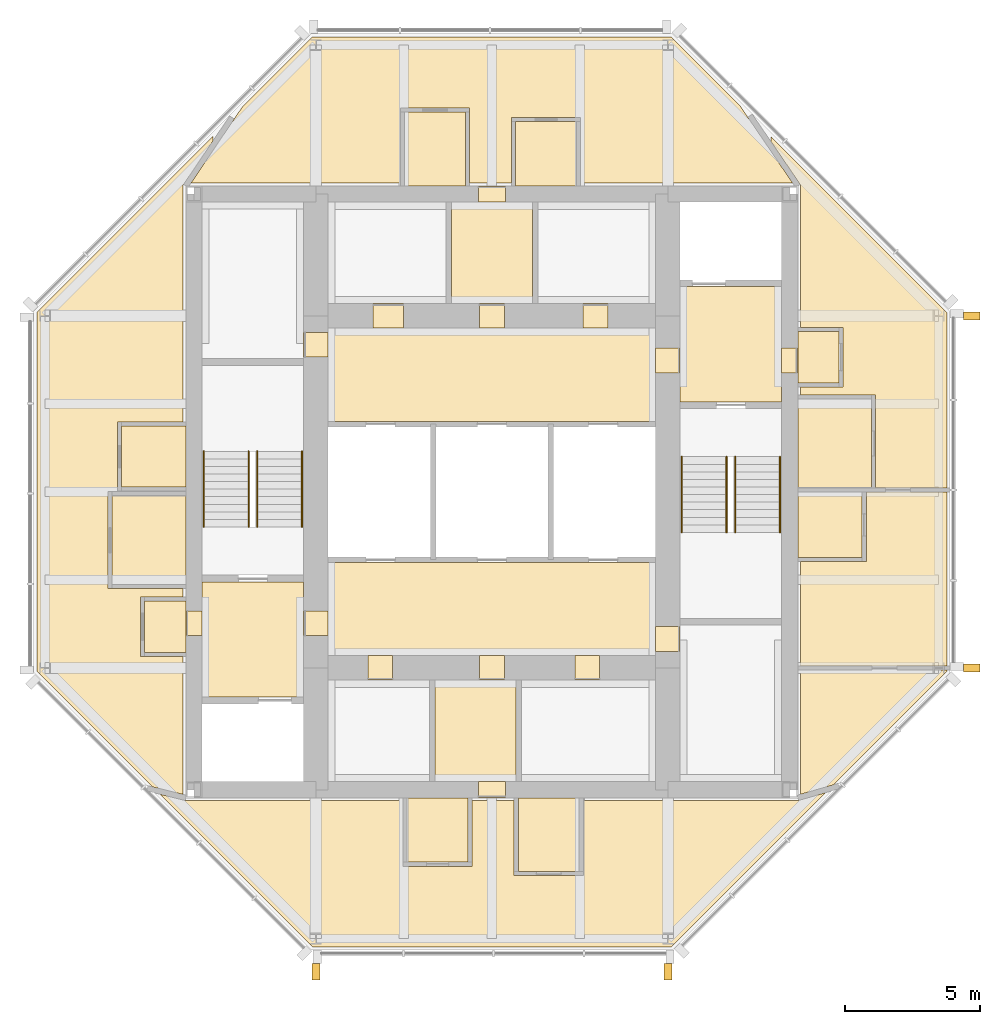
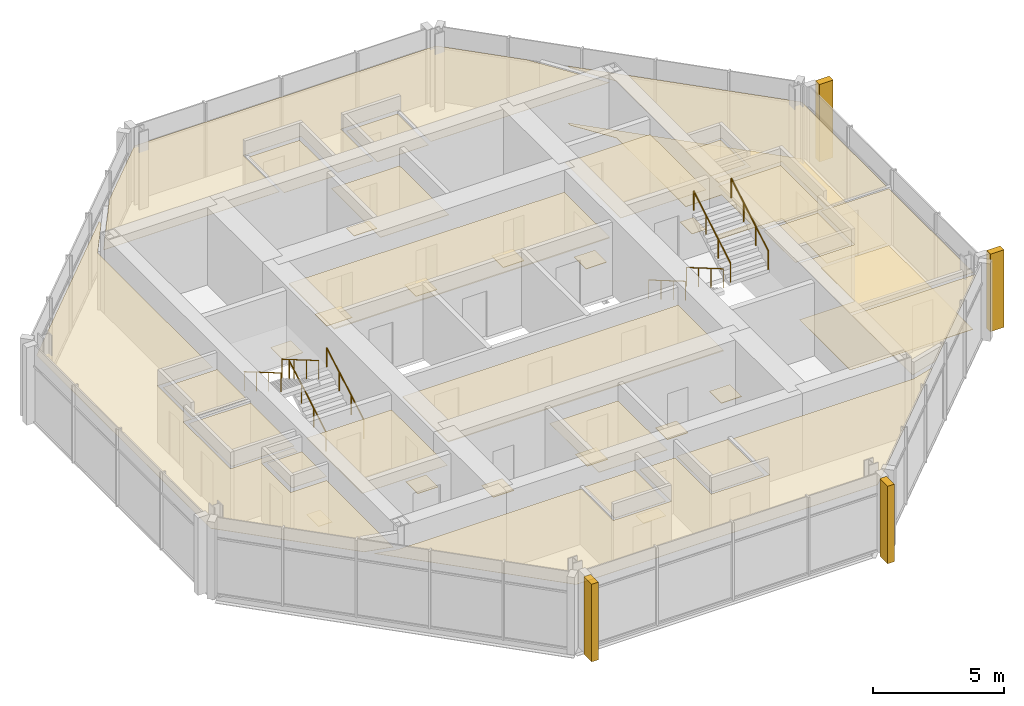
# One storey, part 8 of 8: 42 coverings, 8 railings.
"""IFC4 building model written with IfcOpenShell, lengths in metres."""

from ifc_helpers import new_model, si_unit, direction, frame, origin, origin_2d, place, context, subcontext, project, spatial, polyline, rectangle, circle, outline, extrude, material, layer, layer_set, type_object, element, save


model = new_model("IFC4")

# Units and contexts
model_context = context("Model", 3, precision=1e-05, world=origin(), true_north=direction((0.0, 1.0)))
body_context = subcontext(model_context, "Body", "Model", "MODEL_VIEW")
ifc_project = project(units=[si_unit("LENGTHUNIT", "METRE"), si_unit("AREAUNIT", "SQUARE_METRE"), si_unit("VOLUMEUNIT", "CUBIC_METRE"), si_unit("PLANEANGLEUNIT", "RADIAN"), si_unit("MASSUNIT", "GRAM", prefix="KILO")], contexts=[model_context])

# Site, building, storey
site_placement = place(None, origin())
site = spatial("IfcSite", under=ifc_project, at=site_placement, CompositionType="ELEMENT")
building_placement = place(site_placement, origin())
building = spatial("IfcBuilding", under=site, at=building_placement, Name="Trevanion Tower", CompositionType="ELEMENT")
storey_placement = place(building_placement, frame((0.0, 0.0, 274.0)))
storey = spatial("IfcBuildingStorey", under=building, at=storey_placement, Name="L67", CompositionType="ELEMENT", Elevation=274.0)

# Coverings
ifc_material_1 = material(Name="Fibrous plaster coffers on suspended steel grid", Category="steel")
ifc_layer_1 = layer(ifc_material_1, 0.050048828125)
ifc_layer_set_1 = layer_set([ifc_layer_1], Name="CL1 coffered fibrous plaster ceiling 50")
covering_type_1 = type_object("IfcCoveringType", Name="CL1 coffered fibrous plaster ceiling 50", PredefinedType="CEILING", material=ifc_layer_set_1)
covering_1_placement = place(storey_placement, frame((0.0, 0.0, 2.530029296875)))
element("IfcCovering", 1, at=covering_1_placement, inside=storey, type_object=covering_type_1, Name="CL1 L67-LBN", PredefinedType="CEILING", context=body_context, shape_type="SweptSolid", body=[
    extrude(outline(polyline([(6.050048828125, 2.60009765625), (6.050048828125, 6.050048828125), (-6.050048828125, 6.050048828125), (-6.050048828125, 2.60009765625), (6.050048828125, 2.60009765625)])), origin(), (0.0, 0.0, 1.0), 0.050048828125),
])
covering_2_placement = place(storey_placement, frame((0.0, 0.0, 2.530029296875)))
element("IfcCovering", 2, at=covering_2_placement, inside=storey, type_object=covering_type_1, Name="CL1 L67-LBS", PredefinedType="CEILING", context=body_context, shape_type="SweptSolid", body=[
    extrude(outline(polyline([(6.050048828125, -6.050048828125), (6.050048828125, -2.60009765625), (-6.050048828125, -2.60009765625), (-6.050048828125, -6.050048828125), (6.050048828125, -6.050048828125)])), origin(), (0.0, 0.0, 1.0), 0.050048828125),
])
ifc_material_2 = material(Name="Mineral fibre acoustic tiles in exposed grid", Category="mineral fibre")
ifc_layer_2 = layer(ifc_material_2, 0.02001953125)
ifc_layer_set_2 = layer_set([ifc_layer_2], Name="CL2 acoustic tile ceiling 20")
covering_type_2 = type_object("IfcCoveringType", Name="CL2 acoustic tile ceiling 20", PredefinedType="CEILING", material=ifc_layer_set_2)
covering_3_placement = place(storey_placement, frame((0.0, 0.0, 2.56005859375)))
element("IfcCovering", 3, at=covering_3_placement, inside=storey, type_object=covering_type_2, Name="CL2 L67-CNC", PredefinedType="CEILING", context=body_context, shape_type="SweptSolid", body=[
    extrude(outline(polyline([(1.5, 6.949951171875), (1.5, 10.699951171875), (-1.5, 10.699951171875), (-1.5, 6.949951171875), (1.5, 6.949951171875)])), origin(), (0.0, 0.0, 1.0), 0.02001953125),
])
covering_4_placement = place(storey_placement, frame((0.0, 0.0, 2.56005859375)))
element("IfcCovering", 4, at=covering_4_placement, inside=storey, type_object=covering_type_2, Name="CL2 L67-CSC", PredefinedType="CEILING", context=body_context, shape_type="SweptSolid", body=[
    extrude(outline(polyline([(0.89990234375, -10.699951171875), (0.89990234375, -6.949951171875), (-2.10009765625, -6.949951171875), (-2.10009765625, -10.699951171875), (0.89990234375, -10.699951171875)])), origin(), (0.0, 0.0, 1.0), 0.02001953125),
])
ifc_material_3 = material(Name="Gypsum plasterboard on suspended metal furring", Category="gypsum")
ifc_layer_3 = layer(ifc_material_3, 0.012939453125)
ifc_layer_set_3 = layer_set([ifc_layer_3], Name="CL3 plasterboard ceiling 13")
covering_type_3 = type_object("IfcCoveringType", Name="CL3 plasterboard ceiling 13", PredefinedType="CEILING", material=ifc_layer_set_3)
covering_5_placement = place(storey_placement, frame((0.0, 0.0, 2.699951171875)))
element("IfcCovering", 5, at=covering_5_placement, inside=storey, type_object=covering_type_3, Name="CL3 L67-FV1", PredefinedType="CEILING", context=body_context, shape_type="SweptSolid", body=[
    extrude(outline(polyline([(10.699951171875, 3.324951171875), (10.699951171875, 7.574951171875), (6.949951171875, 7.574951171875), (6.949951171875, 3.324951171875), (10.699951171875, 3.324951171875)])), origin(), (0.0, 0.0, 1.0), 0.012939453125),
])
covering_6_placement = place(storey_placement, frame((0.0, 0.0, 2.699951171875)))
element("IfcCovering", 6, at=covering_6_placement, inside=storey, type_object=covering_type_3, Name="CL3 L67-FV2", PredefinedType="CEILING", context=body_context, shape_type="SweptSolid", body=[
    extrude(outline(polyline([(-10.699951171875, -3.324951171875), (-10.699951171875, -7.574951171875), (-6.949951171875, -7.574951171875), (-6.949951171875, -3.324951171875), (-10.699951171875, -3.324951171875)])), origin(), (0.0, 0.0, 1.0), 0.012939453125),
])
covering_7_placement = place(storey_placement, frame((0.0, 0.0, 2.699951171875)))
element("IfcCovering", 7, at=covering_7_placement, inside=storey, type_object=covering_type_3, Name="CL3 L67-REE", PredefinedType="CEILING", context=body_context, shape_type="SweptSolid", body=[
    extrude(outline(polyline([(12.824951171875, 4.02490234375), (12.824951171875, 5.925048828125), (11.300048828125, 5.925048828125), (11.300048828125, 4.02490234375), (12.824951171875, 4.02490234375)])), origin(), (0.0, 0.0, 1.0), 0.012939453125),
])
covering_8_placement = place(storey_placement, frame((0.0, 0.0, 2.64111328125)))
element("IfcCovering", 8, at=covering_8_placement, inside=storey, type_object=covering_type_3, Name="CL3 L67-REY", PredefinedType="CEILING", context=body_context, shape_type="SweptSolid", body=[
    extrude(outline(polyline([(12.606689453125, -10.817626953125), (11.39990234375, -11.1669921875), (11.39990234375, -6.574951171875), (16.800048828125, -6.574951171875), (16.800048828125, -6.624267578125), (12.606689453125, -10.817626953125)])), origin(), (0.0, 0.0, 1.0), 0.012939453125),
])
covering_9_placement = place(storey_placement, frame((0.0, 0.0, 2.64111328125)))
element("IfcCovering", 9, at=covering_9_placement, inside=storey, type_object=covering_type_3, Name="CL3 L67-REB", PredefinedType="CEILING", context=body_context, shape_type="SweptSolid", body=[
    extrude(outline(polyline([(11.39990234375, -6.425048828125), (11.39990234375, -2.574951171875), (13.824951171875, -2.574951171875), (13.824951171875, -0.010009765625), (16.800048828125, -0.010009765625), (16.800048828125, -6.425048828125), (11.39990234375, -6.425048828125)])), origin(), (0.0, 0.0, 1.0), 0.012939453125),
])
covering_10_placement = place(storey_placement, frame((0.0, 0.0, 2.64111328125)))
element("IfcCovering", 10, at=covering_10_placement, inside=storey, type_object=covering_type_3, Name="CL3 L67-REL", PredefinedType="CEILING", context=body_context, shape_type="SweptSolid", body=[
    extrude(outline(polyline([(14.175048828125, 0.139892578125), (14.175048828125, 3.574951171875), (11.39990234375, 3.574951171875), (11.39990234375, 3.875), (12.97509765625, 3.875), (12.97509765625, 6.074951171875), (11.39990234375, 6.074951171875), (11.39990234375, 11.330810546875), (10.300048828125, 12.94384765625), (10.300048828125, 13.124267578125), (16.800048828125, 6.624267578125), (16.800048828125, 0.139892578125), (14.175048828125, 0.139892578125)])), origin(), (0.0, 0.0, 1.0), 0.012939453125),
])
covering_11_placement = place(storey_placement, frame((0.0, 0.0, 2.64111328125)))
element("IfcCovering", 11, at=covering_11_placement, inside=storey, type_object=covering_type_3, Name="CL3 L67-RNL", PredefinedType="CEILING", context=body_context, shape_type="SweptSolid", body=[
    extrude(outline(polyline([(9.15185546875, 14.272216796875), (11.11083984375, 11.39990234375), (3.27490234375, 11.39990234375), (3.27490234375, 13.824951171875), (0.72509765625, 13.824951171875), (0.72509765625, 11.39990234375), (-0.824951171875, 11.39990234375), (-0.824951171875, 14.175048828125), (-3.375, 14.175048828125), (-3.375, 11.39990234375), (-11.112060546875, 11.39990234375), (-9.227294921875, 14.197021484375), (-6.624267578125, 16.800048828125), (6.624267578125, 16.800048828125), (9.15185546875, 14.272216796875)])), origin(), (0.0, 0.0, 1.0), 0.012939453125),
])
covering_12_placement = place(storey_placement, frame((0.0, 0.0, 2.699951171875)))
element("IfcCovering", 12, at=covering_12_placement, inside=storey, type_object=covering_type_3, Name="CL3 L67-RWE", PredefinedType="CEILING", context=body_context, shape_type="SweptSolid", body=[
    extrude(outline(polyline([(-12.824951171875, -4.02490234375), (-12.824951171875, -5.925048828125), (-11.300048828125, -5.925048828125), (-11.300048828125, -4.02490234375), (-12.824951171875, -4.02490234375)])), origin(), (0.0, 0.0, 1.0), 0.012939453125),
])
covering_13_placement = place(storey_placement, frame((0.0, 0.0, 2.64111328125)))
element("IfcCovering", 13, at=covering_13_placement, inside=storey, type_object=covering_type_3, Name="CL3 L67-RWL", PredefinedType="CEILING", context=body_context, shape_type="SweptSolid", body=[
    extrude(outline(polyline([(-10.300048828125, 13.124267578125), (-10.300048828125, 12.962890625), (-11.39990234375, 11.33056640625), (-11.39990234375, 2.574951171875), (-13.824951171875, 2.574951171875), (-13.824951171875, 0.02490234375), (-11.39990234375, 0.02490234375), (-11.39990234375, 0.010009765625), (-14.175048828125, 0.010009765625), (-14.175048828125, -3.574951171875), (-11.39990234375, -3.574951171875), (-11.39990234375, -3.875), (-12.97509765625, -3.875), (-12.97509765625, -6.074951171875), (-11.39990234375, -6.074951171875), (-11.39990234375, -11.172119140625), (-12.53271484375, -10.8916015625), (-16.800048828125, -6.624267578125), (-16.800048828125, 6.624267578125), (-10.300048828125, 13.124267578125)])), origin(), (0.0, 0.0, 1.0), 0.012939453125),
])
covering_14_placement = place(storey_placement, frame((0.0, 0.0, 2.64111328125)))
element("IfcCovering", 14, at=covering_14_placement, inside=storey, type_object=covering_type_3, Name="CL3 L67-RSL", PredefinedType="CEILING", context=body_context, shape_type="SweptSolid", body=[
    extrude(outline(polyline([(-11.312255859375, -11.39990234375), (-3.27490234375, -11.39990234375), (-3.27490234375, -13.824951171875), (-0.72509765625, -13.824951171875), (-0.72509765625, -11.39990234375), (0.824951171875, -11.39990234375), (0.824951171875, -14.175048828125), (3.375, -14.175048828125), (3.375, -11.39990234375), (11.314208984375, -11.39990234375), (12.313720703125, -11.110595703125), (6.624267578125, -16.800048828125), (-6.624267578125, -16.800048828125), (-12.2587890625, -11.16552734375), (-11.312255859375, -11.39990234375)])), origin(), (0.0, 0.0, 1.0), 0.012939453125),
])
ifc_material_4 = material(Name="Moisture-resistant gypsum board on suspended metal furring", Category="gypsum")
ifc_layer_4 = layer(ifc_material_4, 0.01611328125)
ifc_layer_set_4 = layer_set([ifc_layer_4], Name="CL4 moisture-resistant board ceiling 16")
covering_type_4 = type_object("IfcCoveringType", Name="CL4 moisture-resistant board ceiling 16", PredefinedType="CEILING", material=ifc_layer_set_4)
covering_15_placement = place(storey_placement, frame((0.0, 0.0, 2.60009765625)))
element("IfcCovering", 15, at=covering_15_placement, inside=storey, type_object=covering_type_4, Name="CL4 L67-REK", PredefinedType="CEILING", context=body_context, shape_type="SweptSolid", body=[
    extrude(outline(polyline([(14.02490234375, 0.139892578125), (14.02490234375, 3.425048828125), (11.300048828125, 3.425048828125), (11.300048828125, 0.139892578125), (14.02490234375, 0.139892578125)])), origin(), (0.0, 0.0, 1.0), 0.015869140625),
])
covering_16_placement = place(storey_placement, frame((0.0, 0.0, 2.60009765625)))
element("IfcCovering", 16, at=covering_16_placement, inside=storey, type_object=covering_type_4, Name="CL4 L67-RET", PredefinedType="CEILING", context=body_context, shape_type="SweptSolid", body=[
    extrude(outline(polyline([(13.675048828125, -2.425048828125), (13.675048828125, -0.010009765625), (11.300048828125, -0.010009765625), (11.300048828125, -2.425048828125), (13.675048828125, -2.425048828125)])), origin(), (0.0, 0.0, 1.0), 0.015869140625),
])
covering_17_placement = place(storey_placement, frame((0.0, 0.0, 2.60009765625)))
element("IfcCovering", 17, at=covering_17_placement, inside=storey, type_object=covering_type_4, Name="CL4 L67-RNK", PredefinedType="CEILING", context=body_context, shape_type="SweptSolid", body=[
    extrude(outline(polyline([(-0.97509765625, 14.02490234375), (-3.22509765625, 14.02490234375), (-3.22509765625, 11.300048828125), (-0.97509765625, 11.300048828125), (-0.97509765625, 14.02490234375)])), origin(), (0.0, 0.0, 1.0), 0.015869140625),
])
covering_18_placement = place(storey_placement, frame((0.0, 0.0, 2.60009765625)))
element("IfcCovering", 18, at=covering_18_placement, inside=storey, type_object=covering_type_4, Name="CL4 L67-RNT", PredefinedType="CEILING", context=body_context, shape_type="SweptSolid", body=[
    extrude(outline(polyline([(3.125, 13.675048828125), (0.875, 13.675048828125), (0.875, 11.300048828125), (3.125, 11.300048828125), (3.125, 13.675048828125)])), origin(), (0.0, 0.0, 1.0), 0.015869140625),
])
covering_19_placement = place(storey_placement, frame((0.0, 0.0, 2.60009765625)))
element("IfcCovering", 19, at=covering_19_placement, inside=storey, type_object=covering_type_4, Name="CL4 L67-RWK", PredefinedType="CEILING", context=body_context, shape_type="SweptSolid", body=[
    extrude(outline(polyline([(-14.02490234375, -0.139892578125), (-14.02490234375, -3.425048828125), (-11.300048828125, -3.425048828125), (-11.300048828125, -0.139892578125), (-14.02490234375, -0.139892578125)])), origin(), (0.0, 0.0, 1.0), 0.015869140625),
])
covering_20_placement = place(storey_placement, frame((0.0, 0.0, 2.60009765625)))
element("IfcCovering", 20, at=covering_20_placement, inside=storey, type_object=covering_type_4, Name="CL4 L67-RWT", PredefinedType="CEILING", context=body_context, shape_type="SweptSolid", body=[
    extrude(outline(polyline([(-13.675048828125, 2.425048828125), (-13.675048828125, 0.175048828125), (-11.300048828125, 0.175048828125), (-11.300048828125, 2.425048828125), (-13.675048828125, 2.425048828125)])), origin(), (0.0, 0.0, 1.0), 0.015869140625),
])
covering_21_placement = place(storey_placement, frame((0.0, 0.0, 2.60009765625)))
element("IfcCovering", 21, at=covering_21_placement, inside=storey, type_object=covering_type_4, Name="CL4 L67-RSK", PredefinedType="CEILING", context=body_context, shape_type="SweptSolid", body=[
    extrude(outline(polyline([(0.97509765625, -14.02490234375), (3.22509765625, -14.02490234375), (3.22509765625, -11.300048828125), (0.97509765625, -11.300048828125), (0.97509765625, -14.02490234375)])), origin(), (0.0, 0.0, 1.0), 0.015869140625),
])
covering_22_placement = place(storey_placement, frame((0.0, 0.0, 2.60009765625)))
element("IfcCovering", 22, at=covering_22_placement, inside=storey, type_object=covering_type_4, Name="CL4 L67-RST", PredefinedType="CEILING", context=body_context, shape_type="SweptSolid", body=[
    extrude(outline(polyline([(-3.125, -13.675048828125), (-0.875, -13.675048828125), (-0.875, -11.300048828125), (-3.125, -11.300048828125), (-3.125, -13.675048828125)])), origin(), (0.0, 0.0, 1.0), 0.015869140625),
])
ifc_material_5 = material(Name="Cast bronze fin on aluminium carrier", Category="aluminium")
covering_type_5 = type_object("IfcCoveringType", Name="F1 bronze fin", PredefinedType="CLADDING", material=ifc_material_5)
for number, where, z_axis, x_axis, name in (
    (23, (17.72509765625, -6.5, -0.18994140625), (0.0, 0.0, 1.0), (0.0, 1.0, 0.0), "F1 L67 east -6.5"),
    (24, (17.72509765625, 6.5, -0.18994140625), (0.0, 0.0, 1.0), (0.0, 1.0, 0.0), "F1 L67 east +6.5"),
    (25, (-6.5, -17.72509765625, -0.18994140625), (0.0, 0.0, 1.0), (1.0, 0.0, 0.0), "F1 L67 south -6.5"),
    (26, (6.5, -17.72509765625, -0.18994140625), (0.0, 0.0, 1.0), (1.0, 0.0, 0.0), "F1 L67 south +6.5"),
):
    element("IfcCovering", number, at=place(storey_placement, frame(where, z_axis=z_axis, x_axis=x_axis)), inside=storey, type_object=covering_type_5, Name=name, PredefinedType="CLADDING", context=body_context, shape_type="SweptSolid", body=[
        extrude(rectangle(XDim=0.300048828125, YDim=0.60009765625, at=origin_2d()), origin(), (0.0, 0.0, 1.0), 3.60009765625),
    ])
ifc_material_6 = material(Name="Terrazzo, brass divider strips", Category="stone")
ifc_layer_5 = layer(ifc_material_6, 0.02001953125)
ifc_layer_set_5 = layer_set([ifc_layer_5], Name="FF1 terrazzo flooring")
covering_type_6 = type_object("IfcCoveringType", Name="FF1 terrazzo flooring", PredefinedType="FLOORING", material=ifc_layer_set_5)
covering_23_placement = place(storey_placement, origin())
element("IfcCovering", 27, at=covering_23_placement, inside=storey, type_object=covering_type_6, Name="FF1 threshold 67-001", PredefinedType="FLOORING", context=body_context, shape_type="SweptSolid", body=[
    extrude(outline(polyline([(11.300048828125, 4.392578125), (11.300048828125, 5.3076171875), (10.699951171875, 5.3076171875), (10.699951171875, 4.392578125), (11.300048828125, 4.392578125)])), origin(), (0.0, 0.0, 1.0), 0.02001953125),
])
covering_24_placement = place(storey_placement, origin())
element("IfcCovering", 28, at=covering_24_placement, inside=storey, type_object=covering_type_6, Name="FF1 threshold 67-002", PredefinedType="FLOORING", context=body_context, shape_type="SweptSolid", body=[
    extrude(outline(polyline([(-11.300048828125, -4.392578125), (-11.300048828125, -5.3076171875), (-10.699951171875, -5.3076171875), (-10.699951171875, -4.392578125), (-11.300048828125, -4.392578125)])), origin(), (0.0, 0.0, 1.0), 0.02001953125),
])
covering_25_placement = place(storey_placement, origin())
element("IfcCovering", 29, at=covering_25_placement, inside=storey, type_object=covering_type_6, Name="FF1 threshold 67-003", PredefinedType="FLOORING", context=body_context, shape_type="SweptSolid", body=[
    extrude(outline(polyline([(6.949951171875, 4.392578125), (6.949951171875, 5.3076171875), (6.050048828125, 5.3076171875), (6.050048828125, 4.392578125), (6.949951171875, 4.392578125)])), origin(), (0.0, 0.0, 1.0), 0.02001953125),
])
covering_26_placement = place(storey_placement, origin())
element("IfcCovering", 30, at=covering_26_placement, inside=storey, type_object=covering_type_6, Name="FF1 threshold 67-004", PredefinedType="FLOORING", context=body_context, shape_type="SweptSolid", body=[
    extrude(outline(polyline([(-6.949951171875, -4.392578125), (-6.949951171875, -5.3076171875), (-6.050048828125, -5.3076171875), (-6.050048828125, -4.392578125), (-6.949951171875, -4.392578125)])), origin(), (0.0, 0.0, 1.0), 0.02001953125),
])
covering_27_placement = place(storey_placement, origin())
element("IfcCovering", 31, at=covering_27_placement, inside=storey, type_object=covering_type_6, Name="FF1 threshold 67-009", PredefinedType="FLOORING", context=body_context, shape_type="SweptSolid", body=[
    extrude(outline(polyline([(6.949951171875, -5.889892578125), (6.949951171875, -4.97509765625), (6.050048828125, -4.97509765625), (6.050048828125, -5.889892578125), (6.949951171875, -5.889892578125)])), origin(), (0.0, 0.0, 1.0), 0.02001953125),
])
covering_28_placement = place(storey_placement, origin())
element("IfcCovering", 32, at=covering_28_placement, inside=storey, type_object=covering_type_6, Name="FF1 threshold 67-010", PredefinedType="FLOORING", context=body_context, shape_type="SweptSolid", body=[
    extrude(outline(polyline([(-6.949951171875, 5.889892578125), (-6.949951171875, 4.97509765625), (-6.050048828125, 4.97509765625), (-6.050048828125, 5.889892578125), (-6.949951171875, 5.889892578125)])), origin(), (0.0, 0.0, 1.0), 0.02001953125),
])
covering_29_placement = place(storey_placement, origin())
element("IfcCovering", 33, at=covering_29_placement, inside=storey, type_object=covering_type_6, Name="FF1 threshold 67-017", PredefinedType="FLOORING", context=body_context, shape_type="SweptSolid", body=[
    extrude(outline(polyline([(0.45751953125, 6.949951171875), (-0.45751953125, 6.949951171875), (-0.45751953125, 6.050048828125), (0.45751953125, 6.050048828125), (0.45751953125, 6.949951171875)])), origin(), (0.0, 0.0, 1.0), 0.02001953125),
])
covering_30_placement = place(storey_placement, origin())
element("IfcCovering", 34, at=covering_30_placement, inside=storey, type_object=covering_type_6, Name="FF1 threshold 67-018", PredefinedType="FLOORING", context=body_context, shape_type="SweptSolid", body=[
    extrude(outline(polyline([(0.5, 11.300048828125), (-0.5, 11.300048828125), (-0.5, 10.699951171875), (0.5, 10.699951171875), (0.5, 11.300048828125)])), origin(), (0.0, 0.0, 1.0), 0.02001953125),
])
covering_31_placement = place(storey_placement, origin())
element("IfcCovering", 35, at=covering_31_placement, inside=storey, type_object=covering_type_6, Name="FF1 threshold 67-019", PredefinedType="FLOORING", context=body_context, shape_type="SweptSolid", body=[
    extrude(outline(polyline([(-3.26611328125, 6.949951171875), (-4.384033203125, 6.949951171875), (-4.384033203125, 6.050048828125), (-3.26611328125, 6.050048828125), (-3.26611328125, 6.949951171875)])), origin(), (0.0, 0.0, 1.0), 0.02001953125),
])
covering_32_placement = place(storey_placement, origin())
element("IfcCovering", 36, at=covering_32_placement, inside=storey, type_object=covering_type_6, Name="FF1 threshold 67-020", PredefinedType="FLOORING", context=body_context, shape_type="SweptSolid", body=[
    extrude(outline(polyline([(4.282470703125, 6.949951171875), (3.367431640625, 6.949951171875), (3.367431640625, 6.050048828125), (4.282470703125, 6.050048828125), (4.282470703125, 6.949951171875)])), origin(), (0.0, 0.0, 1.0), 0.02001953125),
])
covering_33_placement = place(storey_placement, origin())
element("IfcCovering", 37, at=covering_33_placement, inside=storey, type_object=covering_type_6, Name="FF1 threshold 67-021", PredefinedType="FLOORING", context=body_context, shape_type="SweptSolid", body=[
    extrude(outline(polyline([(-0.45751953125, -6.949951171875), (0.45751953125, -6.949951171875), (0.45751953125, -6.050048828125), (-0.45751953125, -6.050048828125), (-0.45751953125, -6.949951171875)])), origin(), (0.0, 0.0, 1.0), 0.02001953125),
])
covering_34_placement = place(storey_placement, origin())
element("IfcCovering", 38, at=covering_34_placement, inside=storey, type_object=covering_type_6, Name="FF1 threshold 67-022", PredefinedType="FLOORING", context=body_context, shape_type="SweptSolid", body=[
    extrude(outline(polyline([(-0.5, -11.300048828125), (0.5, -11.300048828125), (0.5, -10.699951171875), (-0.5, -10.699951171875), (-0.5, -11.300048828125)])), origin(), (0.0, 0.0, 1.0), 0.02001953125),
])
covering_35_placement = place(storey_placement, origin())
element("IfcCovering", 39, at=covering_35_placement, inside=storey, type_object=covering_type_6, Name="FF1 threshold 67-023", PredefinedType="FLOORING", context=body_context, shape_type="SweptSolid", body=[
    extrude(outline(polyline([(-4.58251953125, -6.949951171875), (-3.66748046875, -6.949951171875), (-3.66748046875, -6.050048828125), (-4.58251953125, -6.050048828125), (-4.58251953125, -6.949951171875)])), origin(), (0.0, 0.0, 1.0), 0.02001953125),
])
covering_36_placement = place(storey_placement, origin())
element("IfcCovering", 40, at=covering_36_placement, inside=storey, type_object=covering_type_6, Name="FF1 threshold 67-024", PredefinedType="FLOORING", context=body_context, shape_type="SweptSolid", body=[
    extrude(outline(polyline([(3.0673828125, -6.949951171875), (3.982421875, -6.949951171875), (3.982421875, -6.050048828125), (3.0673828125, -6.050048828125), (3.0673828125, -6.949951171875)])), origin(), (0.0, 0.0, 1.0), 0.02001953125),
])
ifc_material_7 = material(Name="Engineered oak", Category="wood")
ifc_layer_6 = layer(ifc_material_7, 0.014892578125)
ifc_layer_set_6 = layer_set([ifc_layer_6], Name="FF3 timber flooring")
covering_type_7 = type_object("IfcCoveringType", Name="FF3 timber flooring", PredefinedType="FLOORING", material=ifc_layer_set_6)
covering_37_placement = place(storey_placement, origin())
element("IfcCovering", 41, at=covering_37_placement, inside=storey, type_object=covering_type_7, Name="FF3 L67-REB", PredefinedType="FLOORING", context=body_context, shape_type="SweptSolid", body=[
    extrude(outline(polyline([(11.39990234375, -6.425048828125), (11.39990234375, -2.574951171875), (13.824951171875, -2.574951171875), (13.824951171875, -0.010009765625), (16.800048828125, -0.010009765625), (16.800048828125, -6.425048828125), (11.39990234375, -6.425048828125)])), origin(), (0.0, 0.0, 1.0), 0.014892578125),
])
covering_38_placement = place(storey_placement, origin())
element("IfcCovering", 42, at=covering_38_placement, inside=storey, type_object=covering_type_7, Name="FF3 L67-REL", PredefinedType="FLOORING", context=body_context, shape_type="SweptSolid", body=[
    extrude(outline(polyline([(14.175048828125, 0.139892578125), (14.175048828125, 3.574951171875), (11.39990234375, 3.574951171875), (11.39990234375, 3.875), (12.97509765625, 3.875), (12.97509765625, 6.074951171875), (11.39990234375, 6.074951171875), (11.39990234375, 11.330810546875), (10.300048828125, 12.94384765625), (10.300048828125, 13.124267578125), (16.800048828125, 6.624267578125), (16.800048828125, 0.139892578125), (14.175048828125, 0.139892578125)])), origin(), (0.0, 0.0, 1.0), 0.014892578125),
])

# Railings
ifc_material_8 = material(Name="Stainless steel tube 40 mm", Category="steel")
railing_type = type_object("IfcRailingType", Name="HR1 handrail", PredefinedType="HANDRAIL", material=ifc_material_8)
for number, where, name in (
    (43, (7.010009765625, 1.300048828125, 0.16357421875), "HR1 ST1 L67 flight 1"),
    (44, (8.6650390625, 1.300048828125, 0.16357421875), "HR1 ST1 L67 flight 1"),
):
    element("IfcRailing", number, at=place(storey_placement, frame(where)), inside=storey, type_object=railing_type, Name=name, PredefinedType="HANDRAIL", context=body_context, shape_type="SweptSolid", body=[
        extrude(circle(Radius=0.02001953125, at=origin_2d()), frame((0.0, 0.0, 0.8798828125), z_axis=(0.0, -0.863360870873, 0.504586966384), x_axis=(1.0, 0.0, 0.0)), (0.0, 0.0, 1.0), 3.2431640625),
        extrude(circle(Radius=0.01513671875, at=origin_2d()), origin(), (0.0, 0.0, 1.0), 0.85986328125),
        extrude(circle(Radius=0.01513671875, at=origin_2d()), frame((0.0, -0.933349609375, 0.54541015625)), (0.0, 0.0, 1.0), 0.85986328125),
        extrude(circle(Radius=0.01513671875, at=origin_2d()), frame((0.0, -1.86669921875, 1.091064453125)), (0.0, 0.0, 1.0), 0.85986328125),
        extrude(circle(Radius=0.01513671875, at=origin_2d()), frame((0.0, -2.800048828125, 1.636474609375)), (0.0, 0.0, 1.0), 0.85986328125),
    ])
for number, where, name in (
    (45, (8.985107421875, -1.5, 1.963623046875), "HR1 ST1 L67 flight 2"),
    (46, (10.639892578125, -1.5, 1.963623046875), "HR1 ST1 L67 flight 2"),
    (47, (-7.010009765625, -1.300048828125, 0.16357421875), "HR1 ST2 L67 flight 1"),
    (48, (-8.6650390625, -1.300048828125, 0.16357421875), "HR1 ST2 L67 flight 1"),
):
    element("IfcRailing", number, at=place(storey_placement, frame(where)), inside=storey, type_object=railing_type, Name=name, PredefinedType="HANDRAIL", context=body_context, shape_type="SweptSolid", body=[
        extrude(circle(Radius=0.02001953125, at=origin_2d()), frame((0.0, 0.0, 0.8798828125), z_axis=(0.0, 0.863360870873, 0.504586966384), x_axis=(-1.0, 0.0, 0.0)), (0.0, 0.0, 1.0), 3.2431640625),
        extrude(circle(Radius=0.01513671875, at=origin_2d()), origin(), (0.0, 0.0, 1.0), 0.85986328125),
        extrude(circle(Radius=0.01513671875, at=origin_2d()), frame((0.0, 0.933349609375, 0.54541015625)), (0.0, 0.0, 1.0), 0.85986328125),
        extrude(circle(Radius=0.01513671875, at=origin_2d()), frame((0.0, 1.86669921875, 1.091064453125)), (0.0, 0.0, 1.0), 0.85986328125),
        extrude(circle(Radius=0.01513671875, at=origin_2d()), frame((0.0, 2.800048828125, 1.636474609375)), (0.0, 0.0, 1.0), 0.85986328125),
    ])
for number, where, name in (
    (49, (-8.985107421875, 1.5, 1.963623046875), "HR1 ST2 L67 flight 2"),
    (50, (-10.639892578125, 1.5, 1.963623046875), "HR1 ST2 L67 flight 2"),
):
    element("IfcRailing", number, at=place(storey_placement, frame(where)), inside=storey, type_object=railing_type, Name=name, PredefinedType="HANDRAIL", context=body_context, shape_type="SweptSolid", body=[
        extrude(circle(Radius=0.02001953125, at=origin_2d()), frame((0.0, 0.0, 0.8798828125), z_axis=(0.0, -0.863360870873, 0.504586966384), x_axis=(1.0, 0.0, 0.0)), (0.0, 0.0, 1.0), 3.2431640625),
        extrude(circle(Radius=0.01513671875, at=origin_2d()), origin(), (0.0, 0.0, 1.0), 0.85986328125),
        extrude(circle(Radius=0.01513671875, at=origin_2d()), frame((0.0, -0.933349609375, 0.54541015625)), (0.0, 0.0, 1.0), 0.85986328125),
        extrude(circle(Radius=0.01513671875, at=origin_2d()), frame((0.0, -1.86669921875, 1.091064453125)), (0.0, 0.0, 1.0), 0.85986328125),
        extrude(circle(Radius=0.01513671875, at=origin_2d()), frame((0.0, -2.800048828125, 1.636474609375)), (0.0, 0.0, 1.0), 0.85986328125),
    ])

save(model, "model.ifc")
